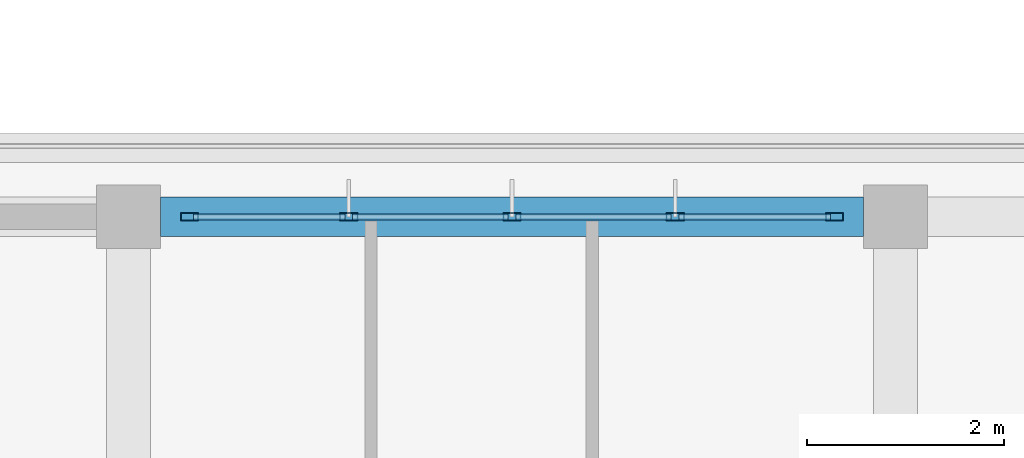
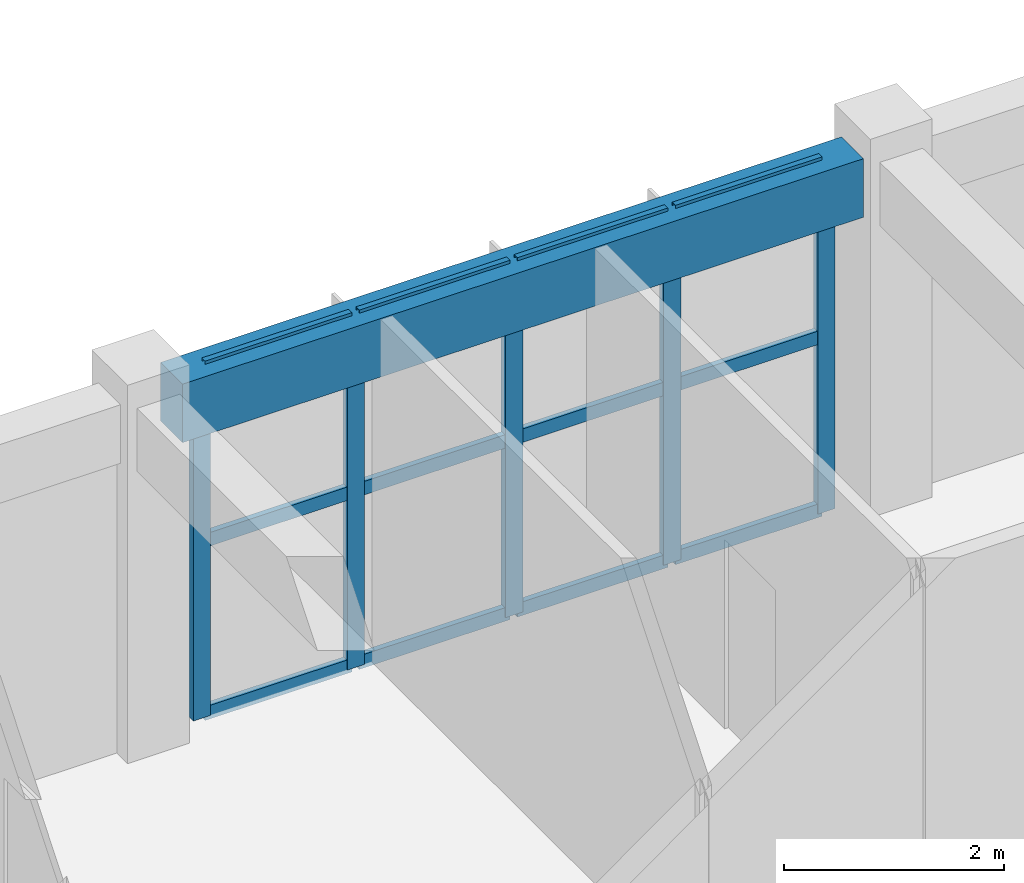
# One storey, part 28 of 63: 17 members, 1 beam, 1 element without a shape of its own.
"""IFC4 building model written with IfcOpenShell, lengths in metres."""

import ifcopenshell
import ifcopenshell.guid

model = None  # the IFC model being written
_history = None  # IfcOwnerHistory: only IFC2X3 demands one
_inside = {}  # id of a spatial element -> (the spatial element, [elements in it])
_under = {}  # id of a project, library or spatial element -> (it, [spatial elements below it])
_declared = {}  # id of a project -> (the project, [libraries it declares])
_typed = {}  # id of a type object -> (the type object, [elements of that type])
_made_of = {}  # id of a material, layer set ... -> (it, [elements and type objects made of it])


def new_model(schema):
    """Start an empty IFC model of exactly this schema.

    Asked for "IFC4X3", IfcOpenShell would pick the latest addendum, in which some entities
    have other attributes; the version numbers below select the first issue.
    IFC2X3 requires an IfcOwnerHistory on every rooted entity: one is made here for all.
    """
    global model, _history
    if schema == "IFC4X3":
        model = ifcopenshell.file(schema_version=(4, 3, 0, 0))
    else:
        model = ifcopenshell.file(schema=schema)
    _inside.clear()
    _under.clear()
    _declared.clear()
    _typed.clear()
    _made_of.clear()
    _history = None
    if model.schema == "IFC2X3":
        org = make("IfcOrganization", Name="unknown")
        user = make(
            "IfcPersonAndOrganization",
            ThePerson=make("IfcPerson", FamilyName="unknown"),
            TheOrganization=org,
        )
        app = make(
            "IfcApplication",
            ApplicationDeveloper=org,
            Version="unknown",
            ApplicationFullName="unknown",
            ApplicationIdentifier="unknown",
        )
        _history = make(
            "IfcOwnerHistory",
            OwningUser=user,
            OwningApplication=app,
            ChangeAction="ADDED",
            CreationDate=0,
        )
    return model


def make(cls, **values):
    """One entity of the class cls with the attributes given. An attribute that is None is left unset."""
    return model.create_entity(
        cls, **{name: value for name, value in values.items() if value is not None}
    )


def rooted(cls, **values):
    """An entity with a GlobalId (a new one), such as an element, a storey or a relation."""
    return make(cls, GlobalId=ifcopenshell.guid.new(), OwnerHistory=_history, **values)


def si_unit(unit_type, name, prefix=None):
    """IfcSIUnit, for example si_unit("LENGTHUNIT", "METRE", prefix="MILLI")."""
    return make("IfcSIUnit", UnitType=unit_type, Prefix=prefix, Name=name)


def assignment(units):
    """IfcUnitAssignment: the units of a project."""
    return None if units is None else make("IfcUnitAssignment", Units=units)


def point(xyz):
    """IfcCartesianPoint."""
    return None if xyz is None else make("IfcCartesianPoint", Coordinates=xyz)


def direction(xyz):
    """IfcDirection."""
    return None if xyz is None else make("IfcDirection", DirectionRatios=xyz)


def frame(location, z_axis=None, x_axis=None):
    """IfcAxis2Placement3D, a coordinate frame: its origin and axes. An axis left out is left unset."""
    return make(
        "IfcAxis2Placement3D",
        Location=point(location),
        Axis=direction(z_axis),
        RefDirection=direction(x_axis),
    )


def frame_2d(location, x_axis=None):
    """IfcAxis2Placement2D, a coordinate frame in the plane: its origin and x axis."""
    return make(
        "IfcAxis2Placement2D", Location=point(location), RefDirection=direction(x_axis)
    )


def origin():
    """The frame at (0, 0, 0) with its axes left unset."""
    return frame((0.0, 0.0, 0.0))


def origin_2d():
    """The frame at (0, 0) in the plane with its x axis left unset."""
    return frame_2d((0.0, 0.0))


def place(relative_to, where):
    """IfcLocalPlacement: puts the frame where relative to a parent placement (None: the world)."""
    return make(
        "IfcLocalPlacement", PlacementRelTo=relative_to, RelativePlacement=where
    )


def context(
    kind, dimensions, precision=None, world=None, true_north=None, identifier=None
):
    """IfcGeometricRepresentationContext, for example the 3D "Model" context."""
    return make(
        "IfcGeometricRepresentationContext",
        ContextIdentifier=identifier,
        ContextType=kind,
        CoordinateSpaceDimension=dimensions,
        Precision=precision,
        WorldCoordinateSystem=world,
        TrueNorth=true_north,
    )


def subcontext(parent, identifier, kind, view, scale=None):
    """IfcGeometricRepresentationSubContext, for example "Body" below "Model"."""
    return make(
        "IfcGeometricRepresentationSubContext",
        ContextIdentifier=identifier,
        ContextType=kind,
        ParentContext=parent,
        TargetScale=scale,
        TargetView=view,
    )


def project(units=None, contexts=None):
    """IfcProject with its units and contexts."""
    return rooted(
        "IfcProject",
        Name="project",
        RepresentationContexts=contexts,
        UnitsInContext=assignment(units),
    )


def spatial(cls, under=None, at=None, **own):
    """A site, building, storey or space (cls), placed at a placement, below another one or the project."""
    s = rooted(cls, ObjectPlacement=at, **own)
    if under is not None:
        _under.setdefault(under.id(), (under, []))[1].append(s)
    return s


def profile(cls, at=None, kind="AREA", **sizes):
    """A parametric profile (cls). Its sizes go by their IFC names, for example OverallWidth=200.0."""
    return make(cls, ProfileType=kind, Position=at, **sizes)


def rectangle(**sizes):
    """IfcRectangleProfileDef."""
    return profile("IfcRectangleProfileDef", **sizes)


def hollow_rectangle(**sizes):
    """IfcRectangleHollowProfileDef."""
    return profile("IfcRectangleHollowProfileDef", **sizes)


def extrude(swept, where, along, depth):
    """IfcExtrudedAreaSolid: the profile swept, set in the frame where, extruded along a direction by depth."""
    return make(
        "IfcExtrudedAreaSolid",
        SweptArea=swept,
        Position=where,
        ExtrudedDirection=direction(along),
        Depth=depth,
    )


def shape(context_of_items, identifier, shape_type, items):
    """IfcShapeRepresentation: the items that make up one representation, for example the "Body"."""
    return make(
        "IfcShapeRepresentation",
        ContextOfItems=context_of_items,
        RepresentationIdentifier=identifier,
        RepresentationType=shape_type,
        Items=items,
    )


def material(Name=None, Category=None):
    """IfcMaterial."""
    return make("IfcMaterial", Name=Name, Category=Category)


def layer(
    of_material, thickness, ventilated=None, Name=None, Category=None, Priority=None
):
    """IfcMaterialLayer: one layer of a wall or slab, of a material (None: an air gap)."""
    return make(
        "IfcMaterialLayer",
        Material=of_material,
        LayerThickness=thickness,
        IsVentilated=ventilated,
        Name=Name,
        Category=Category,
        Priority=Priority,
    )


def layer_set(layers, Name=None):
    """IfcMaterialLayerSet."""
    return make("IfcMaterialLayerSet", MaterialLayers=layers, LayerSetName=Name)


def material_profile(
    of_material, cross_section, Name=None, Category=None, Priority=None
):
    """IfcMaterialProfile: a cross section and its material."""
    return make(
        "IfcMaterialProfile",
        Name=Name,
        Material=of_material,
        Profile=cross_section,
        Priority=Priority,
        Category=Category,
    )


def profile_set(profiles, Name=None, composite=None):
    """IfcMaterialProfileSet."""
    return make(
        "IfcMaterialProfileSet",
        Name=Name,
        MaterialProfiles=profiles,
        CompositeProfile=composite,
    )


def made_of(thing, what):
    """Note that an element or type object is made of a material, layer set ...; save() writes the relation."""
    if what is not None:
        _made_of.setdefault(what.id(), (what, []))[1].append(thing)
    return thing


def type_object(cls, material=None, **own):
    """A type object (cls), such as IfcWallType, which elements share."""
    return made_of(rooted(cls, **own), material)


def element(
    cls,
    number,
    at=None,
    inside=None,
    cuts=None,
    type_object=None,
    material=None,
    context=None,
    identifier="Body",
    shape_type=None,
    held_by="IfcProductDefinitionShape",
    body=None,
    shapes=None,
    **own,
):
    """One element of the class cls, such as IfcWall. Its Tag is "e" and its number.

    at: its placement. inside: the storey or other place that contains it. cuts: it is an
    opening in that element (IfcRelVoidsElement). A single representation is given by context,
    identifier, shape_type and body (its items); several are given by shapes. held_by: the class
    of the entity that holds the representations. save() writes the other relations.
    """
    e = rooted(cls, Tag="e%d" % number, ObjectPlacement=at, **own)
    if body is not None:
        shapes = [shape(context, identifier, shape_type, body)]
    if shapes is not None:
        e.Representation = make(held_by, Representations=shapes)
    if inside is not None:
        _inside.setdefault(inside.id(), (inside, []))[1].append(e)
    if cuts is not None:
        rooted(
            "IfcRelVoidsElement", RelatingBuildingElement=cuts, RelatedOpeningElement=e
        )
    if type_object is not None:
        _typed.setdefault(type_object.id(), (type_object, []))[1].append(e)
    return made_of(e, material)


def aggregate(whole, parts):
    """IfcRelAggregates: a whole, such as a stair, and the parts it consists of."""
    return rooted("IfcRelAggregates", RelatingObject=whole, RelatedObjects=parts)


def save(model, path):
    """Write the relations noted so far, then the file.

    IfcRelAggregates (storeys below a building ...), IfcRelContainedInSpatialStructure (elements
    in a storey), IfcRelDefinesByType, IfcRelAssociatesMaterial and IfcRelDeclares: one each for
    every whole, place, type object, material and project.
    """
    for whole, parts in _under.values():
        aggregate(whole, parts)
    for where, things in _inside.values():
        rooted(
            "IfcRelContainedInSpatialStructure",
            RelatedElements=things,
            RelatingStructure=where,
        )
    for kind, things in _typed.values():
        rooted("IfcRelDefinesByType", RelatedObjects=things, RelatingType=kind)
    for what, things in _made_of.values():
        rooted("IfcRelAssociatesMaterial", RelatedObjects=things, RelatingMaterial=what)
    for by, libraries in _declared.values():
        rooted("IfcRelDeclares", RelatingContext=by, RelatedDefinitions=libraries)
    model.write(path)


model = new_model("IFC4")

# Units and contexts
model_context = context("Model", 3, precision=1e-05, world=origin(), true_north=direction((0.0, 1.0)))
body_context = subcontext(model_context, "Body", "Model", "MODEL_VIEW")
ifc_project = project(units=[si_unit("LENGTHUNIT", "METRE"), si_unit("AREAUNIT", "SQUARE_METRE"), si_unit("VOLUMEUNIT", "CUBIC_METRE"), si_unit("PLANEANGLEUNIT", "RADIAN"), si_unit("MASSUNIT", "GRAM", prefix="KILO")], contexts=[model_context])

# Site, building, storey
site_placement = place(None, origin())
site = spatial("IfcSite", under=ifc_project, at=site_placement, CompositionType="ELEMENT")
building_placement = place(site_placement, origin())
building = spatial("IfcBuilding", under=site, at=building_placement, Name="Zizhar Promenade General Hospital", CompositionType="ELEMENT")
storey_placement = place(building_placement, frame((0.0, 0.0, 18.0)))
storey = spatial("IfcBuildingStorey", under=building, at=storey_placement, Name="L04", CompositionType="ELEMENT", Elevation=18.0)

# Beam
ifc_material_1 = material(Name="Concrete C35/45", Category="concrete")
ifc_material_profile_1 = material_profile(ifc_material_1, rectangle(XDim=0.39990234375, YDim=0.64990234375, at=origin_2d()))
ifc_profile_set_1 = profile_set([ifc_material_profile_1], Name="Concrete C35/45")
beam_type = type_object("IfcBeamType", Name="BM-RC-400x650", PredefinedType="BEAM", material=ifc_profile_set_1)
beam_placement = place(storey_placement, frame((101.72509765625, 25.199951171875, 3.5849609375), z_axis=(1.0, 0.0, 0.0), x_axis=(0.0, 1.0, 0.0)))
element("IfcBeam", 1, at=beam_placement, inside=storey, type_object=beam_type, Name="Grid Beam X L04 (13-3)", PredefinedType="BEAM", context=body_context, shape_type="SweptSolid", body=[
    extrude(rectangle(XDim=0.39990234375, YDim=0.64990234375, at=origin_2d()), origin(), (0.0, 0.0, 1.0), 7.14990234375),
])

# Curtain wall, members
ifc_material_2 = material(Name="Anodised aluminium 6063-T6 and low-E glass", Category="aluminium")
ifc_layer = layer(ifc_material_2, 0.159912109375)
ifc_layer_set = layer_set([ifc_layer], Name="Anodised aluminium 6063-T6 and low-E glass")
curtain_wall_type = type_object("IfcCurtainWallType", Name="CW-WARD-RIB", PredefinedType="NOTDEFINED", material=ifc_layer_set)
curtain_wall_placement = place(storey_placement, origin())
curtain_wall = element("IfcCurtainWall", 2, at=curtain_wall_placement, inside=storey, type_object=curtain_wall_type, Name="Ward Ribbon Curtain Wall L04-8-10", PredefinedType="NOTDEFINED")
ifc_material_3 = material(Name="Anodised aluminium 6063-T6", Category="aluminium")
ifc_material_profile_2 = material_profile(ifc_material_3, hollow_rectangle(XDim=0.080078125, YDim=0.179931640625, WallThickness=0.0048828125, at=origin_2d()))
ifc_profile_set_2 = profile_set([ifc_material_profile_2], Name="Anodised aluminium 6063-T6")
member_type_1 = type_object("IfcMemberType", Name="CWM-ALU-180x80", PredefinedType="MULLION", material=ifc_profile_set_2)
member_1_placement = place(storey_placement, frame((102.02001953125, 25.199951171875, 0.0), z_axis=(0.0, 0.0, 1.0), x_axis=(0.0, 1.0, 0.0)))
member_1 = element("IfcMember", 3, at=member_1_placement, type_object=member_type_1, Name="CW-13 mullion 1", PredefinedType="MULLION", context=body_context, shape_type="SweptSolid", body=[
    extrude(hollow_rectangle(XDim=0.080078125, YDim=0.179931640625, WallThickness=0.0048828125, at=origin_2d()), origin(), (0.0, 0.0, 1.0), 3.89990234375),
])
member_2_placement = place(storey_placement, frame((103.639892578125, 25.199951171875, 0.0), z_axis=(0.0, 0.0, 1.0), x_axis=(0.0, 1.0, 0.0)))
member_2 = element("IfcMember", 4, at=member_2_placement, type_object=member_type_1, Name="CW-13 mullion 2", PredefinedType="MULLION", context=body_context, shape_type="SweptSolid", body=[
    extrude(hollow_rectangle(XDim=0.080078125, YDim=0.179931640625, WallThickness=0.0048828125, at=origin_2d()), origin(), (0.0, 0.0, 1.0), 3.89990234375),
])
member_3_placement = place(storey_placement, frame((105.300048828125, 25.199951171875, 0.0), z_axis=(0.0, 0.0, 1.0), x_axis=(0.0, 1.0, 0.0)))
member_3 = element("IfcMember", 5, at=member_3_placement, type_object=member_type_1, Name="CW-13 mullion 3", PredefinedType="MULLION", context=body_context, shape_type="SweptSolid", body=[
    extrude(hollow_rectangle(XDim=0.080078125, YDim=0.179931640625, WallThickness=0.0048828125, at=origin_2d()), origin(), (0.0, 0.0, 1.0), 3.89990234375),
])
member_4_placement = place(storey_placement, frame((106.9599609375, 25.199951171875, 0.0), z_axis=(0.0, 0.0, 1.0), x_axis=(0.0, 1.0, 0.0)))
member_4 = element("IfcMember", 6, at=member_4_placement, type_object=member_type_1, Name="CW-13 mullion 4", PredefinedType="MULLION", context=body_context, shape_type="SweptSolid", body=[
    extrude(hollow_rectangle(XDim=0.080078125, YDim=0.179931640625, WallThickness=0.0048828125, at=origin_2d()), origin(), (0.0, 0.0, 1.0), 3.89990234375),
])
member_5_placement = place(storey_placement, frame((108.580078125, 25.199951171875, 0.0), z_axis=(0.0, 0.0, 1.0), x_axis=(0.0, 1.0, 0.0)))
member_5 = element("IfcMember", 7, at=member_5_placement, type_object=member_type_1, Name="CW-13 mullion 5", PredefinedType="MULLION", context=body_context, shape_type="SweptSolid", body=[
    extrude(hollow_rectangle(XDim=0.080078125, YDim=0.179931640625, WallThickness=0.0048828125, at=origin_2d()), origin(), (0.0, 0.0, 1.0), 3.89990234375),
])
ifc_material_4 = material(Name="Anodised aluminium 6063-T6", Category="aluminium")
ifc_material_profile_3 = material_profile(ifc_material_4, hollow_rectangle(XDim=0.06005859375, YDim=0.14990234375, WallThickness=0.00390625, at=origin_2d()))
ifc_profile_set_3 = profile_set([ifc_material_profile_3], Name="Anodised aluminium 6063-T6")
member_type_2 = type_object("IfcMemberType", Name="CWT-ALU-150x60", PredefinedType="USERDEFINED", material=ifc_profile_set_3)
member_6_placement = place(storey_placement, frame((102.06005859375, 25.199951171875, 0.030029296875), z_axis=(1.0, 0.0, 0.0), x_axis=(0.0, 1.0, 0.0)))
member_6 = element("IfcMember", 8, at=member_6_placement, type_object=member_type_2, Name="CW-13 transom 1.1", ObjectType="TRANSOM", PredefinedType="USERDEFINED", context=body_context, shape_type="SweptSolid", body=[
    extrude(hollow_rectangle(XDim=0.06005859375, YDim=0.14990234375, WallThickness=0.00390625, at=origin_2d()), origin(), (0.0, 0.0, 1.0), 1.5400390625),
])
member_7_placement = place(storey_placement, frame((102.06005859375, 25.199951171875, 1.949951171875), z_axis=(1.0, 0.0, 0.0), x_axis=(0.0, 1.0, 0.0)))
member_7 = element("IfcMember", 9, at=member_7_placement, type_object=member_type_2, Name="CW-13 transom 1.2", ObjectType="TRANSOM", PredefinedType="USERDEFINED", context=body_context, shape_type="SweptSolid", body=[
    extrude(hollow_rectangle(XDim=0.06005859375, YDim=0.14990234375, WallThickness=0.00390625, at=origin_2d()), origin(), (0.0, 0.0, 1.0), 1.5400390625),
])
member_8_placement = place(storey_placement, frame((102.06005859375, 25.199951171875, 3.8701171875), z_axis=(1.0, 0.0, 0.0), x_axis=(0.0, 1.0, 0.0)))
member_8 = element("IfcMember", 10, at=member_8_placement, type_object=member_type_2, Name="CW-13 transom 1.3", ObjectType="TRANSOM", PredefinedType="USERDEFINED", context=body_context, shape_type="SweptSolid", body=[
    extrude(hollow_rectangle(XDim=0.06005859375, YDim=0.14990234375, WallThickness=0.00390625, at=origin_2d()), origin(), (0.0, 0.0, 1.0), 1.5400390625),
])
member_9_placement = place(storey_placement, frame((103.679931640625, 25.199951171875, 0.030029296875), z_axis=(1.0, 0.0, 0.0), x_axis=(0.0, 1.0, 0.0)))
member_9 = element("IfcMember", 11, at=member_9_placement, type_object=member_type_2, Name="CW-13 transom 2.1", ObjectType="TRANSOM", PredefinedType="USERDEFINED", context=body_context, shape_type="SweptSolid", body=[
    extrude(hollow_rectangle(XDim=0.06005859375, YDim=0.14990234375, WallThickness=0.00390625, at=origin_2d()), origin(), (0.0, 0.0, 1.0), 1.580078125),
])
member_10_placement = place(storey_placement, frame((103.679931640625, 25.199951171875, 1.949951171875), z_axis=(1.0, 0.0, 0.0), x_axis=(0.0, 1.0, 0.0)))
member_10 = element("IfcMember", 12, at=member_10_placement, type_object=member_type_2, Name="CW-13 transom 2.2", ObjectType="TRANSOM", PredefinedType="USERDEFINED", context=body_context, shape_type="SweptSolid", body=[
    extrude(hollow_rectangle(XDim=0.06005859375, YDim=0.14990234375, WallThickness=0.00390625, at=origin_2d()), origin(), (0.0, 0.0, 1.0), 1.580078125),
])
member_11_placement = place(storey_placement, frame((103.679931640625, 25.199951171875, 3.8701171875), z_axis=(1.0, 0.0, 0.0), x_axis=(0.0, 1.0, 0.0)))
member_11 = element("IfcMember", 13, at=member_11_placement, type_object=member_type_2, Name="CW-13 transom 2.3", ObjectType="TRANSOM", PredefinedType="USERDEFINED", context=body_context, shape_type="SweptSolid", body=[
    extrude(hollow_rectangle(XDim=0.06005859375, YDim=0.14990234375, WallThickness=0.00390625, at=origin_2d()), origin(), (0.0, 0.0, 1.0), 1.580078125),
])
member_12_placement = place(storey_placement, frame((105.340087890625, 25.199951171875, 0.030029296875), z_axis=(1.0, 0.0, 0.0), x_axis=(0.0, 1.0, 0.0)))
member_12 = element("IfcMember", 14, at=member_12_placement, type_object=member_type_2, Name="CW-13 transom 3.1", ObjectType="TRANSOM", PredefinedType="USERDEFINED", context=body_context, shape_type="SweptSolid", body=[
    extrude(hollow_rectangle(XDim=0.06005859375, YDim=0.14990234375, WallThickness=0.00390625, at=origin_2d()), origin(), (0.0, 0.0, 1.0), 1.579833984375),
])
member_13_placement = place(storey_placement, frame((105.340087890625, 25.199951171875, 1.949951171875), z_axis=(1.0, 0.0, 0.0), x_axis=(0.0, 1.0, 0.0)))
member_13 = element("IfcMember", 15, at=member_13_placement, type_object=member_type_2, Name="CW-13 transom 3.2", ObjectType="TRANSOM", PredefinedType="USERDEFINED", context=body_context, shape_type="SweptSolid", body=[
    extrude(hollow_rectangle(XDim=0.06005859375, YDim=0.14990234375, WallThickness=0.00390625, at=origin_2d()), origin(), (0.0, 0.0, 1.0), 1.579833984375),
])
member_14_placement = place(storey_placement, frame((105.340087890625, 25.199951171875, 3.8701171875), z_axis=(1.0, 0.0, 0.0), x_axis=(0.0, 1.0, 0.0)))
member_14 = element("IfcMember", 16, at=member_14_placement, type_object=member_type_2, Name="CW-13 transom 3.3", ObjectType="TRANSOM", PredefinedType="USERDEFINED", context=body_context, shape_type="SweptSolid", body=[
    extrude(hollow_rectangle(XDim=0.06005859375, YDim=0.14990234375, WallThickness=0.00390625, at=origin_2d()), origin(), (0.0, 0.0, 1.0), 1.579833984375),
])
member_15_placement = place(storey_placement, frame((107.0, 25.199951171875, 0.030029296875), z_axis=(1.0, 0.0, 0.0), x_axis=(0.0, 1.0, 0.0)))
member_15 = element("IfcMember", 17, at=member_15_placement, type_object=member_type_2, Name="CW-13 transom 4.1", ObjectType="TRANSOM", PredefinedType="USERDEFINED", context=body_context, shape_type="SweptSolid", body=[
    extrude(hollow_rectangle(XDim=0.06005859375, YDim=0.14990234375, WallThickness=0.00390625, at=origin_2d()), origin(), (0.0, 0.0, 1.0), 1.5400390625),
])
member_16_placement = place(storey_placement, frame((107.0, 25.199951171875, 1.949951171875), z_axis=(1.0, 0.0, 0.0), x_axis=(0.0, 1.0, 0.0)))
member_16 = element("IfcMember", 18, at=member_16_placement, type_object=member_type_2, Name="CW-13 transom 4.2", ObjectType="TRANSOM", PredefinedType="USERDEFINED", context=body_context, shape_type="SweptSolid", body=[
    extrude(hollow_rectangle(XDim=0.06005859375, YDim=0.14990234375, WallThickness=0.00390625, at=origin_2d()), origin(), (0.0, 0.0, 1.0), 1.5400390625),
])
member_17_placement = place(storey_placement, frame((107.0, 25.199951171875, 3.8701171875), z_axis=(1.0, 0.0, 0.0), x_axis=(0.0, 1.0, 0.0)))
member_17 = element("IfcMember", 19, at=member_17_placement, type_object=member_type_2, Name="CW-13 transom 4.3", ObjectType="TRANSOM", PredefinedType="USERDEFINED", context=body_context, shape_type="SweptSolid", body=[
    extrude(hollow_rectangle(XDim=0.06005859375, YDim=0.14990234375, WallThickness=0.00390625, at=origin_2d()), origin(), (0.0, 0.0, 1.0), 1.5400390625),
])
aggregate(curtain_wall, [member_1, member_2, member_3, member_4, member_5, member_6, member_7, member_8, member_9, member_10, member_11, member_12, member_13, member_14, member_15, member_16, member_17])

save(model, "model.ifc")
